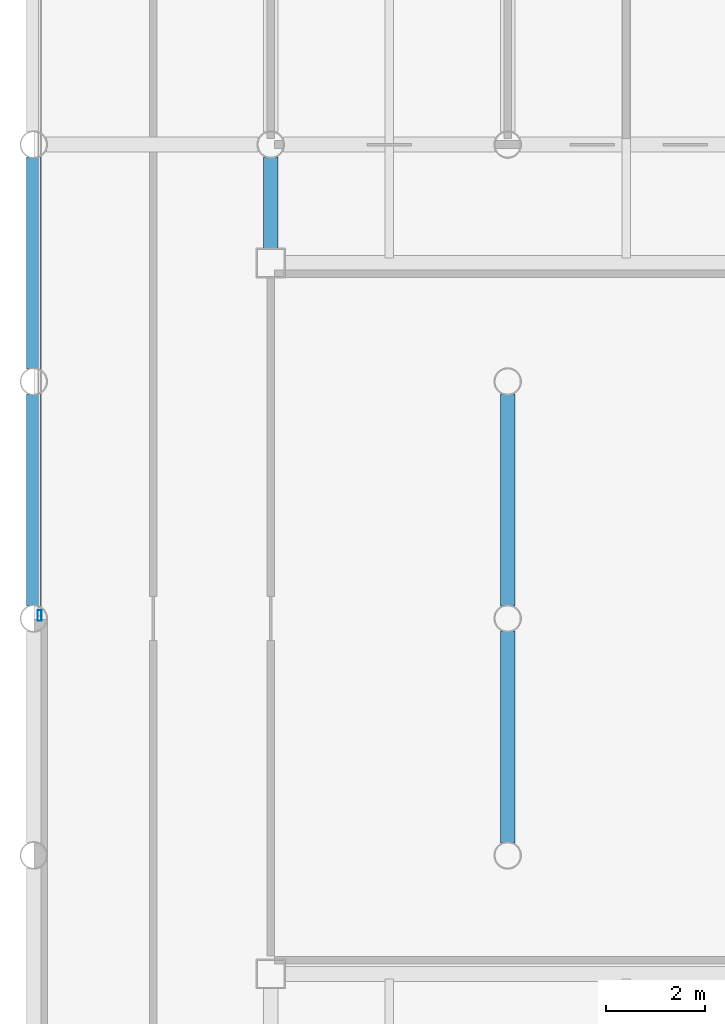
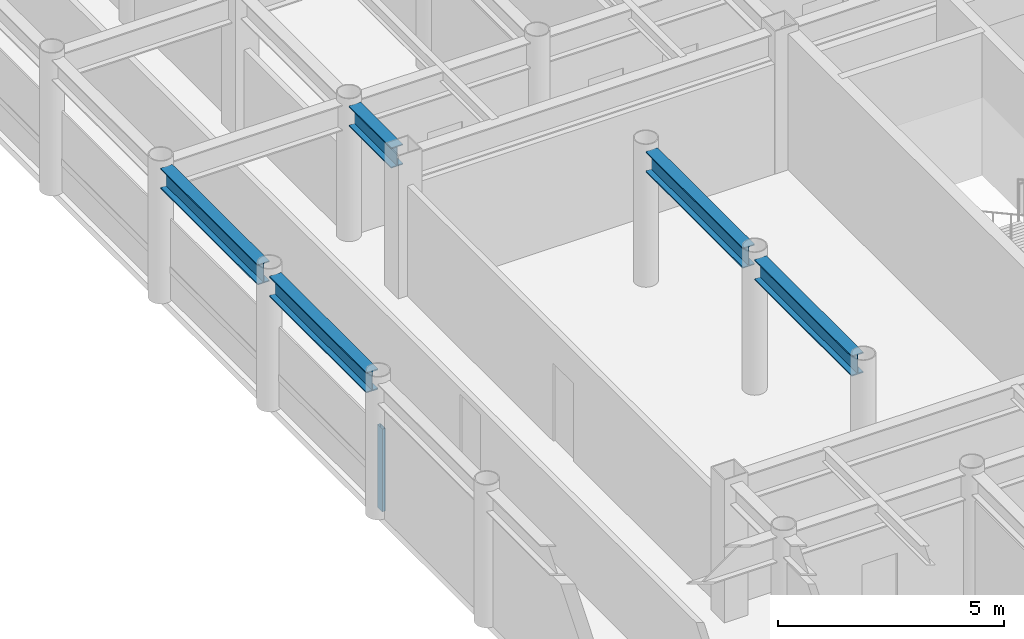
# One storey, part 6 of 23: 5 beams, 1 member, 1 element without a shape of its own.
"""IFC4 building model written with IfcOpenShell, lengths in metres."""

from ifc_helpers import new_model, si_unit, direction, frame, origin, origin_2d, place, context, subcontext, project, spatial, hollow_rectangle, i_section, extrude, material, layer, layer_set, material_profile, profile_set, type_object, element, aggregate, save


model = new_model("IFC4")

# Units and contexts
model_context = context("Model", 3, precision=1e-05, world=origin(), true_north=direction((0.0, 1.0)))
body_context = subcontext(model_context, "Body", "Model", "MODEL_VIEW")
ifc_project = project(units=[si_unit("LENGTHUNIT", "METRE"), si_unit("AREAUNIT", "SQUARE_METRE"), si_unit("VOLUMEUNIT", "CUBIC_METRE"), si_unit("PLANEANGLEUNIT", "RADIAN"), si_unit("MASSUNIT", "GRAM", prefix="KILO")], contexts=[model_context])

# Site, building, storey
site_placement = place(None, origin())
site = spatial("IfcSite", under=ifc_project, at=site_placement, CompositionType="ELEMENT")
building_placement = place(site_placement, origin())
building = spatial("IfcBuilding", under=site, at=building_placement, Name="Kallvorn Hotel Tower", CompositionType="ELEMENT")
storey_placement = place(building_placement, frame((0.0, 0.0, 237.699951171875)))
storey = spatial("IfcBuildingStorey", under=building, at=storey_placement, Name="L59", CompositionType="ELEMENT", Elevation=237.699951171875)

# Beams
ifc_material_1 = material(Name="Structural steel S355JR", Category="steel")
ifc_material_profile_1 = material_profile(ifc_material_1, i_section(OverallWidth=0.300048828125, OverallDepth=0.550048828125, WebThickness=0.014892578125, FlangeThickness=0.029052734375, at=origin_2d()), Name="HE 550 B")
ifc_profile_set_1 = profile_set([ifc_material_profile_1], Name="Structural steel S355JR")
beam_type = type_object("IfcBeamType", Name="BM_HE550B", PredefinedType="SPANDREL", material=ifc_profile_set_1)
for number, where, z_axis, x_axis, name in (
    (1, (-28.800048828125, 0.25439453125, 3.39501953125), (0.0, 1.0, 0.0), (-1.0, 0.0, 0.0), "L60 Primary Y-Girder 77"),
    (2, (-28.800048828125, 5.054443359375, 3.39501953125), (0.0, 1.0, 0.0), (-1.0, 0.0, 0.0), "L60 Primary Y-Girder 78"),
):
    element("IfcBeam", number, at=place(storey_placement, frame(where, z_axis=z_axis, x_axis=x_axis)), inside=storey, type_object=beam_type, Name=name, PredefinedType="SPANDREL", context=body_context, shape_type="SweptSolid", body=[
        extrude(i_section(OverallWidth=0.300048828125, OverallDepth=0.550048828125, WebThickness=0.014892578125, FlangeThickness=0.029052734375, at=origin_2d()), origin(), (0.0, 0.0, 1.0), 4.291015625),
    ])
beam_placement = place(storey_placement, frame((-24.0, 7.47509765625, 3.39501953125), z_axis=(0.0, 1.0, 0.0), x_axis=(-1.0, 0.0, 0.0)))
element("IfcBeam", 3, at=beam_placement, inside=storey, type_object=beam_type, Name="L60 Primary Y-Girder 84", PredefinedType="SPANDREL", context=body_context, shape_type="SweptSolid", body=[
    extrude(i_section(OverallWidth=0.300048828125, OverallDepth=0.550048828125, WebThickness=0.014892578125, FlangeThickness=0.029052734375, at=origin_2d()), origin(), (0.0, 0.0, 1.0), 1.870361328125),
])
for number, where, z_axis, x_axis, name in (
    (4, (-19.199951171875, -4.54541015625, 3.39501953125), (0.0, 1.0, 0.0), (-1.0, 0.0, 0.0), "L60 Primary Y-Girder 91"),
    (5, (-19.199951171875, 0.25439453125, 3.39501953125), (0.0, 1.0, 0.0), (-1.0, 0.0, 0.0), "L60 Primary Y-Girder 92"),
):
    element("IfcBeam", number, at=place(storey_placement, frame(where, z_axis=z_axis, x_axis=x_axis)), inside=storey, type_object=beam_type, Name=name, PredefinedType="SPANDREL", context=body_context, shape_type="SweptSolid", body=[
        extrude(i_section(OverallWidth=0.300048828125, OverallDepth=0.550048828125, WebThickness=0.014892578125, FlangeThickness=0.029052734375, at=origin_2d()), origin(), (0.0, 0.0, 1.0), 4.291015625),
    ])

# Curtain wall, member
ifc_material_2 = material(Name="Thermally broken black-anodised aluminium AA 6063-T6", Category="aluminium")
ifc_layer = layer(ifc_material_2, 0.22998046875)
ifc_layer_set = layer_set([ifc_layer], Name="CW_SYS_5_HOTEL_HIGH")
curtain_wall_type = type_object("IfcCurtainWallType", Name="CW_SYS_5_HOTEL_HIGH", PredefinedType="USERDEFINED", material=ifc_layer_set)
curtain_wall_placement = place(storey_placement, origin())
curtain_wall = element("IfcCurtainWall", 6, at=curtain_wall_placement, inside=storey, type_object=curtain_wall_type, Name="L59 Dark-Glass Curtain Wall CW-L59-WN", ObjectType="UNITISED CURTAIN WALL", PredefinedType="USERDEFINED")
ifc_material_3 = material(Name="Thermally broken black-anodised aluminium AA 6063-T6", Category="aluminium")
ifc_material_profile_2 = material_profile(ifc_material_3, hollow_rectangle(XDim=0.080078125, YDim=0.219970703125, WallThickness=0.0048828125, at=origin_2d()), Name="MUL 220x80")
ifc_profile_set_2 = profile_set([ifc_material_profile_2], Name="Thermally broken black-anodised aluminium AA 6063-T6")
member_type = type_object("IfcMemberType", Name="CW_MULLION_220x80", PredefinedType="MULLION", material=ifc_profile_set_2)
member_placement = place(storey_placement, frame((-28.679931640625, 0.06005859375, 0.02001953125), z_axis=(0.0, 0.0, 1.0), x_axis=(1.0, 0.0, 0.0)))
member = element("IfcMember", 7, at=member_placement, type_object=member_type, Name="CW-L59-WN Mullion 00", PredefinedType="MULLION", context=body_context, shape_type="SweptSolid", body=[
    extrude(hollow_rectangle(XDim=0.080078125, YDim=0.219970703125, WallThickness=0.0048828125, at=origin_2d()), origin(), (0.0, 0.0, 1.0), 2.22998046875),
])
aggregate(curtain_wall, [member])

save(model, "model.ifc")
